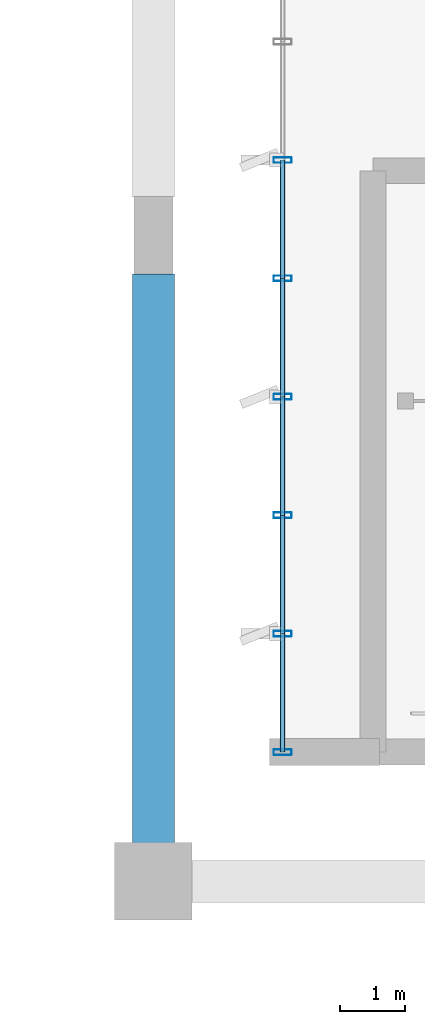
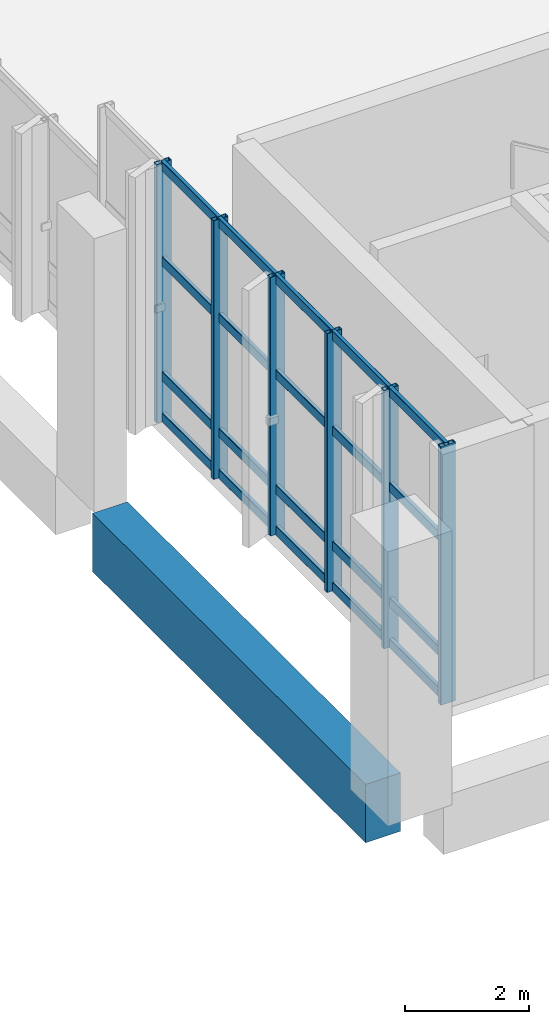
# One storey, part 26 of 176: 26 members, 1 beam, 1 element without a shape of its own.
"""IFC4 building model written with IfcOpenShell, lengths in metres."""

from ifc_helpers import new_model, si_unit, direction, frame, origin, origin_2d, place, context, subcontext, project, spatial, rectangle, hollow_rectangle, extrude, material, layer, layer_set, material_profile, profile_set, type_object, element, aggregate, save


model = new_model("IFC4")

# Units and contexts
model_context = context("Model", 3, precision=1e-05, world=origin(), true_north=direction((0.0, 1.0)))
body_context = subcontext(model_context, "Body", "Model", "MODEL_VIEW")
ifc_project = project(units=[si_unit("LENGTHUNIT", "METRE"), si_unit("AREAUNIT", "SQUARE_METRE"), si_unit("VOLUMEUNIT", "CUBIC_METRE"), si_unit("PLANEANGLEUNIT", "RADIAN"), si_unit("MASSUNIT", "GRAM", prefix="KILO")], contexts=[model_context])

# Site, building, storey
site_placement = place(None, origin())
site = spatial("IfcSite", under=ifc_project, at=site_placement, CompositionType="ELEMENT")
building_placement = place(site_placement, origin())
building = spatial("IfcBuilding", under=site, at=building_placement, Name="Khorjan Park Terminus", CompositionType="ELEMENT")
storey_placement = place(building_placement, frame((0.0, 0.0, 6.0)))
storey = spatial("IfcBuildingStorey", under=building, at=storey_placement, Name="L01", CompositionType="ELEMENT", Elevation=6.0)

# Curtain wall, members
ifc_material_1 = material(Name="Anodized Bronze Aluminium", Category="aluminium")
ifc_layer = layer(ifc_material_1, 0.22)
ifc_layer_set = layer_set([ifc_layer], Name="Anodized Bronze Aluminium")
curtain_wall_type = type_object("IfcCurtainWallType", Name="CW-CONC-A", PredefinedType="NOTDEFINED", material=ifc_layer_set)
curtain_wall_placement = place(storey_placement, origin())
curtain_wall = element("IfcCurtainWall", 1, at=curtain_wall_placement, inside=storey, type_object=curtain_wall_type, Name="Unitized curtain wall CW-A (CW-V2-W-L01-01)", PredefinedType="NOTDEFINED")
ifc_material_profile_1 = material_profile(ifc_material_1, hollow_rectangle(XDim=0.09, YDim=0.28, WallThickness=0.006, InnerFilletRadius=0.006, OuterFilletRadius=0.012, at=origin_2d()), Name="ALM 90x280x6")
ifc_profile_set_1 = profile_set([ifc_material_profile_1], Name="Anodized Bronze Aluminium")
member_type_1 = type_object("IfcMemberType", Name="ML-ALM-280", PredefinedType="MULLION", material=ifc_profile_set_1)
member_1_placement = place(storey_placement, frame((50.0, 37.1667, -0.035), z_axis=(0.0, 0.0, 1.0), x_axis=(0.0, -1.0, 0.0)))
member_1 = element("IfcMember", 2, at=member_1_placement, type_object=member_type_1, Name="Curtain-wall mullion ML-28 (CW-V2-W-L01-01-1)", PredefinedType="MULLION", context=body_context, shape_type="SweptSolid", body=[
    extrude(hollow_rectangle(XDim=0.09, YDim=0.28, WallThickness=0.006, InnerFilletRadius=0.006, OuterFilletRadius=0.012, at=origin_2d()), origin(), (0.0, 0.0, 1.0), 5.095),
])
member_2_placement = place(storey_placement, frame((50.0, 35.3333, -0.035), z_axis=(0.0, 0.0, 1.0), x_axis=(0.0, -1.0, 0.0)))
member_2 = element("IfcMember", 3, at=member_2_placement, type_object=member_type_1, Name="Curtain-wall mullion ML-28 (CW-V2-W-L01-01-2)", PredefinedType="MULLION", context=body_context, shape_type="SweptSolid", body=[
    extrude(hollow_rectangle(XDim=0.09, YDim=0.28, WallThickness=0.006, InnerFilletRadius=0.006, OuterFilletRadius=0.012, at=origin_2d()), origin(), (0.0, 0.0, 1.0), 5.095),
])
member_3_placement = place(storey_placement, frame((50.0, 33.5, -0.035), z_axis=(0.0, 0.0, 1.0), x_axis=(0.0, -1.0, 0.0)))
member_3 = element("IfcMember", 4, at=member_3_placement, type_object=member_type_1, Name="Curtain-wall mullion ML-28 (CW-V2-W-L01-01-3)", PredefinedType="MULLION", context=body_context, shape_type="SweptSolid", body=[
    extrude(hollow_rectangle(XDim=0.09, YDim=0.28, WallThickness=0.006, InnerFilletRadius=0.006, OuterFilletRadius=0.012, at=origin_2d()), origin(), (0.0, 0.0, 1.0), 5.095),
])
member_4_placement = place(storey_placement, frame((50.0, 31.6667, -0.035), z_axis=(0.0, 0.0, 1.0), x_axis=(0.0, -1.0, 0.0)))
member_4 = element("IfcMember", 5, at=member_4_placement, type_object=member_type_1, Name="Curtain-wall mullion ML-28 (CW-V2-W-L01-01-4)", PredefinedType="MULLION", context=body_context, shape_type="SweptSolid", body=[
    extrude(hollow_rectangle(XDim=0.09, YDim=0.28, WallThickness=0.006, InnerFilletRadius=0.006, OuterFilletRadius=0.012, at=origin_2d()), origin(), (0.0, 0.0, 1.0), 5.095),
])
member_5_placement = place(storey_placement, frame((50.0, 29.8333, -0.035), z_axis=(0.0, 0.0, 1.0), x_axis=(0.0, -1.0, 0.0)))
member_5 = element("IfcMember", 6, at=member_5_placement, type_object=member_type_1, Name="Curtain-wall mullion ML-28 (CW-V2-W-L01-01-5)", PredefinedType="MULLION", context=body_context, shape_type="SweptSolid", body=[
    extrude(hollow_rectangle(XDim=0.09, YDim=0.28, WallThickness=0.006, InnerFilletRadius=0.006, OuterFilletRadius=0.012, at=origin_2d()), origin(), (0.0, 0.0, 1.0), 5.095),
])
member_6_placement = place(storey_placement, frame((50.0, 28.0, -0.035), z_axis=(0.0, 0.0, 1.0), x_axis=(0.0, -1.0, 0.0)))
member_6 = element("IfcMember", 7, at=member_6_placement, type_object=member_type_1, Name="Curtain-wall mullion ML-28 (CW-V2-W-L01-01-6)", PredefinedType="MULLION", context=body_context, shape_type="SweptSolid", body=[
    extrude(hollow_rectangle(XDim=0.09, YDim=0.28, WallThickness=0.006, InnerFilletRadius=0.006, OuterFilletRadius=0.012, at=origin_2d()), origin(), (0.0, 0.0, 1.0), 5.095),
])

# Beam
ifc_material_2 = material(Name="Concrete C50/60", Category="concrete")
ifc_material_profile_2 = material_profile(ifc_material_2, rectangle(XDim=0.65, YDim=1.15, at=origin_2d()), Name="RC 650x1150")
ifc_profile_set_2 = profile_set([ifc_material_profile_2], Name="Concrete C50/60")
beam_type = type_object("IfcBeamType", Name="SP-RC650x1150", PredefinedType="SPANDREL", material=ifc_profile_set_2)
beam_placement = place(storey_placement, frame((48.0, 26.595, -0.575), z_axis=(0.0, 1.0, 0.0), x_axis=(-1.0, 0.0, 0.0)))
element("IfcBeam", 8, at=beam_placement, inside=storey, type_object=beam_type, Name="Concourse lower colonnade ring beam SP-11 (L01-23)", PredefinedType="SPANDREL", context=body_context, shape_type="SweptSolid", body=[
    extrude(rectangle(XDim=0.65, YDim=1.15, at=origin_2d()), origin(), (0.0, 0.0, 1.0), 8.81),
])

# Member
ifc_material_profile_3 = material_profile(ifc_material_1, hollow_rectangle(XDim=0.075, YDim=0.185, WallThickness=0.005, InnerFilletRadius=0.005, OuterFilletRadius=0.01, at=origin_2d()), Name="ALT 75x185x5")
ifc_profile_set_3 = profile_set([ifc_material_profile_3], Name="Anodized Bronze Aluminium")
member_type_2 = type_object("IfcMemberType", Name="TR-ALT-185", PredefinedType="USERDEFINED", material=ifc_profile_set_3)
member_7_placement = place(storey_placement, frame((50.0, 37.1667, 0.04), z_axis=(0.0, -1.0, 0.0), x_axis=(1.0, 0.0, 0.0)))
member_7 = element("IfcMember", 9, at=member_7_placement, type_object=member_type_2, Name="Curtain-wall transom TR-18 (CW-V2-W-L01-01-1-1)", ObjectType="TRANSOM", PredefinedType="USERDEFINED", context=body_context, shape_type="SweptSolid", body=[
    extrude(hollow_rectangle(XDim=0.075, YDim=0.185, WallThickness=0.005, InnerFilletRadius=0.005, OuterFilletRadius=0.01, at=origin_2d()), origin(), (0.0, 0.0, 1.0), 1.8334),
])

member_8_placement = place(storey_placement, frame((50.0, 37.1667, 0.85), z_axis=(0.0, -1.0, 0.0), x_axis=(1.0, 0.0, 0.0)))
member_8 = element("IfcMember", 10, at=member_8_placement, type_object=member_type_2, Name="Curtain-wall transom TR-18 (CW-V2-W-L01-01-1-2)", ObjectType="TRANSOM", PredefinedType="USERDEFINED", context=body_context, shape_type="SweptSolid", body=[
    extrude(hollow_rectangle(XDim=0.075, YDim=0.185, WallThickness=0.005, InnerFilletRadius=0.005, OuterFilletRadius=0.01, at=origin_2d()), origin(), (0.0, 0.0, 1.0), 1.8334),
])

member_9_placement = place(storey_placement, frame((50.0, 37.1667, 3.1155), z_axis=(0.0, -1.0, 0.0), x_axis=(1.0, 0.0, 0.0)))
member_9 = element("IfcMember", 11, at=member_9_placement, type_object=member_type_2, Name="Curtain-wall transom TR-18 (CW-V2-W-L01-01-1-3)", ObjectType="TRANSOM", PredefinedType="USERDEFINED", context=body_context, shape_type="SweptSolid", body=[
    extrude(hollow_rectangle(XDim=0.075, YDim=0.185, WallThickness=0.005, InnerFilletRadius=0.005, OuterFilletRadius=0.01, at=origin_2d()), origin(), (0.0, 0.0, 1.0), 1.8334),
])

member_10_placement = place(storey_placement, frame((50.0, 37.1667, 4.985), z_axis=(0.0, -1.0, 0.0), x_axis=(1.0, 0.0, 0.0)))
member_10 = element("IfcMember", 12, at=member_10_placement, type_object=member_type_2, Name="Curtain-wall transom TR-18 (CW-V2-W-L01-01-1-4)", ObjectType="TRANSOM", PredefinedType="USERDEFINED", context=body_context, shape_type="SweptSolid", body=[
    extrude(hollow_rectangle(XDim=0.075, YDim=0.185, WallThickness=0.005, InnerFilletRadius=0.005, OuterFilletRadius=0.01, at=origin_2d()), origin(), (0.0, 0.0, 1.0), 1.8334),
])

member_11_placement = place(storey_placement, frame((50.0, 35.3333, 0.04), z_axis=(0.0, -1.0, 0.0), x_axis=(1.0, 0.0, 0.0)))
member_11 = element("IfcMember", 13, at=member_11_placement, type_object=member_type_2, Name="Curtain-wall transom TR-18 (CW-V2-W-L01-01-2-1)", ObjectType="TRANSOM", PredefinedType="USERDEFINED", context=body_context, shape_type="SweptSolid", body=[
    extrude(hollow_rectangle(XDim=0.075, YDim=0.185, WallThickness=0.005, InnerFilletRadius=0.005, OuterFilletRadius=0.01, at=origin_2d()), origin(), (0.0, 0.0, 1.0), 1.8333),
])

member_12_placement = place(storey_placement, frame((50.0, 35.3333, 0.85), z_axis=(0.0, -1.0, 0.0), x_axis=(1.0, 0.0, 0.0)))
member_12 = element("IfcMember", 14, at=member_12_placement, type_object=member_type_2, Name="Curtain-wall transom TR-18 (CW-V2-W-L01-01-2-2)", ObjectType="TRANSOM", PredefinedType="USERDEFINED", context=body_context, shape_type="SweptSolid", body=[
    extrude(hollow_rectangle(XDim=0.075, YDim=0.185, WallThickness=0.005, InnerFilletRadius=0.005, OuterFilletRadius=0.01, at=origin_2d()), origin(), (0.0, 0.0, 1.0), 1.8333),
])

member_13_placement = place(storey_placement, frame((50.0, 35.3333, 3.1155), z_axis=(0.0, -1.0, 0.0), x_axis=(1.0, 0.0, 0.0)))
member_13 = element("IfcMember", 15, at=member_13_placement, type_object=member_type_2, Name="Curtain-wall transom TR-18 (CW-V2-W-L01-01-2-3)", ObjectType="TRANSOM", PredefinedType="USERDEFINED", context=body_context, shape_type="SweptSolid", body=[
    extrude(hollow_rectangle(XDim=0.075, YDim=0.185, WallThickness=0.005, InnerFilletRadius=0.005, OuterFilletRadius=0.01, at=origin_2d()), origin(), (0.0, 0.0, 1.0), 1.8333),
])

member_14_placement = place(storey_placement, frame((50.0, 35.3333, 4.985), z_axis=(0.0, -1.0, 0.0), x_axis=(1.0, 0.0, 0.0)))
member_14 = element("IfcMember", 16, at=member_14_placement, type_object=member_type_2, Name="Curtain-wall transom TR-18 (CW-V2-W-L01-01-2-4)", ObjectType="TRANSOM", PredefinedType="USERDEFINED", context=body_context, shape_type="SweptSolid", body=[
    extrude(hollow_rectangle(XDim=0.075, YDim=0.185, WallThickness=0.005, InnerFilletRadius=0.005, OuterFilletRadius=0.01, at=origin_2d()), origin(), (0.0, 0.0, 1.0), 1.8333),
])

member_15_placement = place(storey_placement, frame((50.0, 33.5, 0.04), z_axis=(0.0, -1.0, 0.0), x_axis=(1.0, 0.0, 0.0)))
member_15 = element("IfcMember", 17, at=member_15_placement, type_object=member_type_2, Name="Curtain-wall transom TR-18 (CW-V2-W-L01-01-3-1)", ObjectType="TRANSOM", PredefinedType="USERDEFINED", context=body_context, shape_type="SweptSolid", body=[
    extrude(hollow_rectangle(XDim=0.075, YDim=0.185, WallThickness=0.005, InnerFilletRadius=0.005, OuterFilletRadius=0.01, at=origin_2d()), origin(), (0.0, 0.0, 1.0), 1.8333),
])

member_16_placement = place(storey_placement, frame((50.0, 33.5, 0.85), z_axis=(0.0, -1.0, 0.0), x_axis=(1.0, 0.0, 0.0)))
member_16 = element("IfcMember", 18, at=member_16_placement, type_object=member_type_2, Name="Curtain-wall transom TR-18 (CW-V2-W-L01-01-3-2)", ObjectType="TRANSOM", PredefinedType="USERDEFINED", context=body_context, shape_type="SweptSolid", body=[
    extrude(hollow_rectangle(XDim=0.075, YDim=0.185, WallThickness=0.005, InnerFilletRadius=0.005, OuterFilletRadius=0.01, at=origin_2d()), origin(), (0.0, 0.0, 1.0), 1.8333),
])

member_17_placement = place(storey_placement, frame((50.0, 33.5, 3.1155), z_axis=(0.0, -1.0, 0.0), x_axis=(1.0, 0.0, 0.0)))
member_17 = element("IfcMember", 19, at=member_17_placement, type_object=member_type_2, Name="Curtain-wall transom TR-18 (CW-V2-W-L01-01-3-3)", ObjectType="TRANSOM", PredefinedType="USERDEFINED", context=body_context, shape_type="SweptSolid", body=[
    extrude(hollow_rectangle(XDim=0.075, YDim=0.185, WallThickness=0.005, InnerFilletRadius=0.005, OuterFilletRadius=0.01, at=origin_2d()), origin(), (0.0, 0.0, 1.0), 1.8333),
])

member_18_placement = place(storey_placement, frame((50.0, 33.5, 4.985), z_axis=(0.0, -1.0, 0.0), x_axis=(1.0, 0.0, 0.0)))
member_18 = element("IfcMember", 20, at=member_18_placement, type_object=member_type_2, Name="Curtain-wall transom TR-18 (CW-V2-W-L01-01-3-4)", ObjectType="TRANSOM", PredefinedType="USERDEFINED", context=body_context, shape_type="SweptSolid", body=[
    extrude(hollow_rectangle(XDim=0.075, YDim=0.185, WallThickness=0.005, InnerFilletRadius=0.005, OuterFilletRadius=0.01, at=origin_2d()), origin(), (0.0, 0.0, 1.0), 1.8333),
])

member_19_placement = place(storey_placement, frame((50.0, 31.6667, 0.04), z_axis=(0.0, -1.0, 0.0), x_axis=(1.0, 0.0, 0.0)))
member_19 = element("IfcMember", 21, at=member_19_placement, type_object=member_type_2, Name="Curtain-wall transom TR-18 (CW-V2-W-L01-01-4-1)", ObjectType="TRANSOM", PredefinedType="USERDEFINED", context=body_context, shape_type="SweptSolid", body=[
    extrude(hollow_rectangle(XDim=0.075, YDim=0.185, WallThickness=0.005, InnerFilletRadius=0.005, OuterFilletRadius=0.01, at=origin_2d()), origin(), (0.0, 0.0, 1.0), 1.8334),
])

member_20_placement = place(storey_placement, frame((50.0, 31.6667, 0.85), z_axis=(0.0, -1.0, 0.0), x_axis=(1.0, 0.0, 0.0)))
member_20 = element("IfcMember", 22, at=member_20_placement, type_object=member_type_2, Name="Curtain-wall transom TR-18 (CW-V2-W-L01-01-4-2)", ObjectType="TRANSOM", PredefinedType="USERDEFINED", context=body_context, shape_type="SweptSolid", body=[
    extrude(hollow_rectangle(XDim=0.075, YDim=0.185, WallThickness=0.005, InnerFilletRadius=0.005, OuterFilletRadius=0.01, at=origin_2d()), origin(), (0.0, 0.0, 1.0), 1.8334),
])

member_21_placement = place(storey_placement, frame((50.0, 31.6667, 3.1155), z_axis=(0.0, -1.0, 0.0), x_axis=(1.0, 0.0, 0.0)))
member_21 = element("IfcMember", 23, at=member_21_placement, type_object=member_type_2, Name="Curtain-wall transom TR-18 (CW-V2-W-L01-01-4-3)", ObjectType="TRANSOM", PredefinedType="USERDEFINED", context=body_context, shape_type="SweptSolid", body=[
    extrude(hollow_rectangle(XDim=0.075, YDim=0.185, WallThickness=0.005, InnerFilletRadius=0.005, OuterFilletRadius=0.01, at=origin_2d()), origin(), (0.0, 0.0, 1.0), 1.8334),
])

member_22_placement = place(storey_placement, frame((50.0, 31.6667, 4.985), z_axis=(0.0, -1.0, 0.0), x_axis=(1.0, 0.0, 0.0)))
member_22 = element("IfcMember", 24, at=member_22_placement, type_object=member_type_2, Name="Curtain-wall transom TR-18 (CW-V2-W-L01-01-4-4)", ObjectType="TRANSOM", PredefinedType="USERDEFINED", context=body_context, shape_type="SweptSolid", body=[
    extrude(hollow_rectangle(XDim=0.075, YDim=0.185, WallThickness=0.005, InnerFilletRadius=0.005, OuterFilletRadius=0.01, at=origin_2d()), origin(), (0.0, 0.0, 1.0), 1.8334),
])

member_23_placement = place(storey_placement, frame((50.0, 29.8333, 0.04), z_axis=(0.0, -1.0, 0.0), x_axis=(1.0, 0.0, 0.0)))
member_23 = element("IfcMember", 25, at=member_23_placement, type_object=member_type_2, Name="Curtain-wall transom TR-18 (CW-V2-W-L01-01-5-1)", ObjectType="TRANSOM", PredefinedType="USERDEFINED", context=body_context, shape_type="SweptSolid", body=[
    extrude(hollow_rectangle(XDim=0.075, YDim=0.185, WallThickness=0.005, InnerFilletRadius=0.005, OuterFilletRadius=0.01, at=origin_2d()), origin(), (0.0, 0.0, 1.0), 1.8333),
])

member_24_placement = place(storey_placement, frame((50.0, 29.8333, 0.85), z_axis=(0.0, -1.0, 0.0), x_axis=(1.0, 0.0, 0.0)))
member_24 = element("IfcMember", 26, at=member_24_placement, type_object=member_type_2, Name="Curtain-wall transom TR-18 (CW-V2-W-L01-01-5-2)", ObjectType="TRANSOM", PredefinedType="USERDEFINED", context=body_context, shape_type="SweptSolid", body=[
    extrude(hollow_rectangle(XDim=0.075, YDim=0.185, WallThickness=0.005, InnerFilletRadius=0.005, OuterFilletRadius=0.01, at=origin_2d()), origin(), (0.0, 0.0, 1.0), 1.8333),
])

member_25_placement = place(storey_placement, frame((50.0, 29.8333, 3.1155), z_axis=(0.0, -1.0, 0.0), x_axis=(1.0, 0.0, 0.0)))
member_25 = element("IfcMember", 27, at=member_25_placement, type_object=member_type_2, Name="Curtain-wall transom TR-18 (CW-V2-W-L01-01-5-3)", ObjectType="TRANSOM", PredefinedType="USERDEFINED", context=body_context, shape_type="SweptSolid", body=[
    extrude(hollow_rectangle(XDim=0.075, YDim=0.185, WallThickness=0.005, InnerFilletRadius=0.005, OuterFilletRadius=0.01, at=origin_2d()), origin(), (0.0, 0.0, 1.0), 1.8333),
])

member_26_placement = place(storey_placement, frame((50.0, 29.8333, 4.985), z_axis=(0.0, -1.0, 0.0), x_axis=(1.0, 0.0, 0.0)))
member_26 = element("IfcMember", 28, at=member_26_placement, type_object=member_type_2, Name="Curtain-wall transom TR-18 (CW-V2-W-L01-01-5-4)", ObjectType="TRANSOM", PredefinedType="USERDEFINED", context=body_context, shape_type="SweptSolid", body=[
    extrude(hollow_rectangle(XDim=0.075, YDim=0.185, WallThickness=0.005, InnerFilletRadius=0.005, OuterFilletRadius=0.01, at=origin_2d()), origin(), (0.0, 0.0, 1.0), 1.8333),
])

aggregate(curtain_wall, [member_1, member_2, member_3, member_4, member_5, member_6, member_7, member_8, member_9, member_10, member_11, member_12, member_13, member_14, member_15, member_16, member_17, member_18, member_19, member_20, member_21, member_22, member_23, member_24, member_25, member_26])

save(model, "model.ifc")
